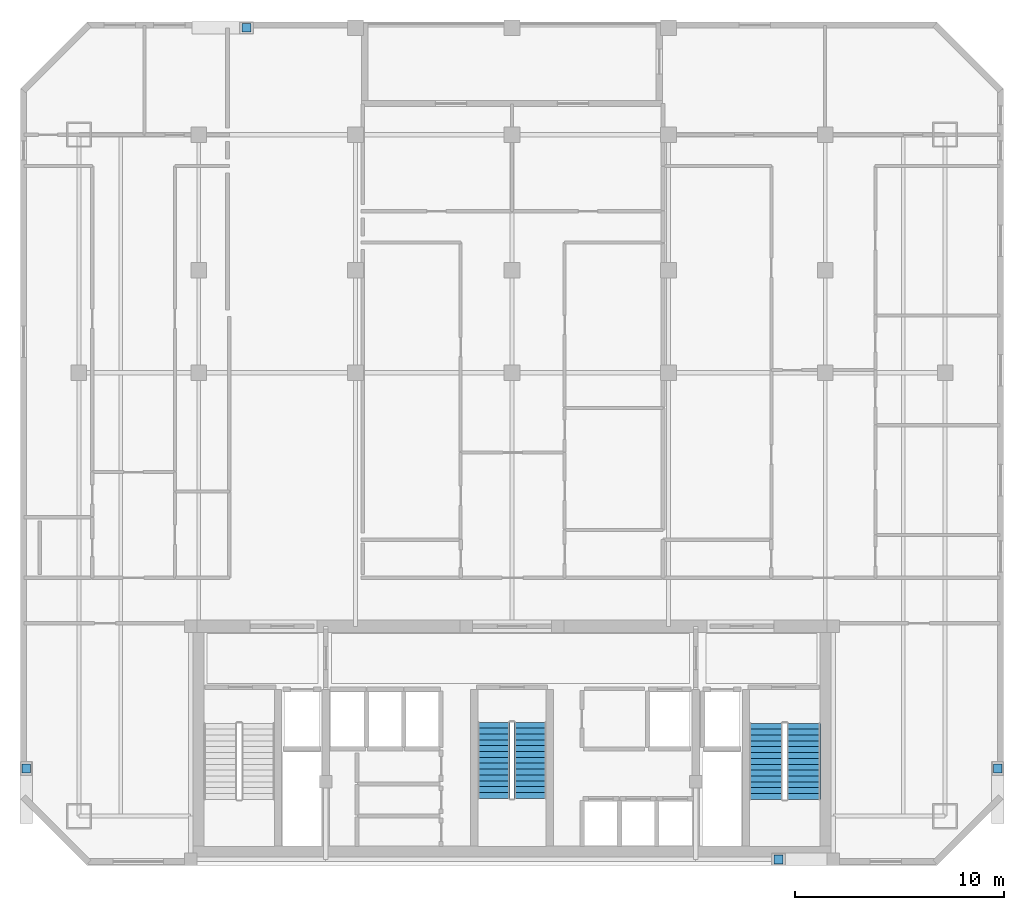
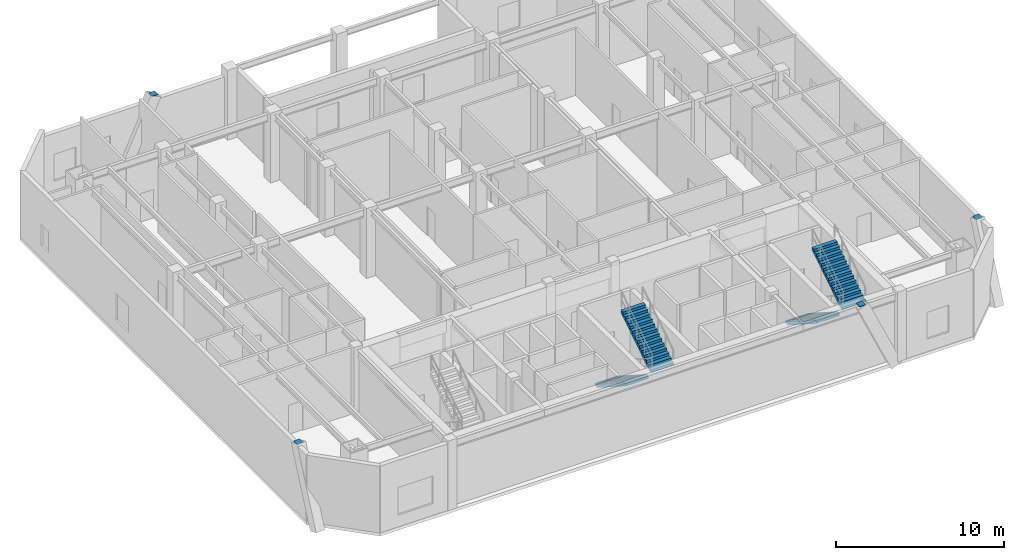
# One storey, part 7 of 8: 4 discrete accessories, 4 stair flights, 2 elements without a shape of their own.
"""IFC4 building model written with IfcOpenShell, lengths in metres."""

from ifc_helpers import new_model, si_unit, direction, frame, origin, origin_2d, place, context, subcontext, project, spatial, polyline, rectangle, outline, extrude, material, type_object, element, aggregate, save


model = new_model("IFC4")

# Units and contexts
model_context = context("Model", 3, precision=1e-05, world=origin(), true_north=direction((0.0, 1.0)))
body_context = subcontext(model_context, "Body", "Model", "MODEL_VIEW")
ifc_project = project(units=[si_unit("LENGTHUNIT", "METRE"), si_unit("AREAUNIT", "SQUARE_METRE"), si_unit("VOLUMEUNIT", "CUBIC_METRE"), si_unit("PLANEANGLEUNIT", "RADIAN"), si_unit("MASSUNIT", "GRAM", prefix="KILO")], contexts=[model_context])

# Site, building, storey
site_placement = place(None, origin())
site = spatial("IfcSite", under=ifc_project, at=site_placement, CompositionType="ELEMENT")
building_placement = place(site_placement, origin())
building = spatial("IfcBuilding", under=site, at=building_placement, Name="Ventersveld Concourse Tower", CompositionType="ELEMENT")
storey_placement = place(building_placement, frame((0.0, 0.0, 187.550048828125)))
storey = spatial("IfcBuildingStorey", under=building, at=storey_placement, Name="L46", CompositionType="ELEMENT", Elevation=187.550048828125)

# Stair, stair flights
ifc_material_1 = material(Name="Concrete C50/60", Category="concrete")
stair_type_1 = type_object("IfcStairType", Name="ST-DOG-155", PredefinedType="HALF_TURN_STAIR", material=ifc_material_1)
stair_1_placement = place(storey_placement, origin())
stair_1 = element("IfcStair", 1, at=stair_1_placement, inside=storey, type_object=stair_type_1, Name="L46 Protected Central Core Escape Stair ST-03", PredefinedType="HALF_TURN_STAIR")
stair_flight_type_1 = type_object("IfcStairFlightType", Name="STF-RC-155", PredefinedType="STRAIGHT", material=ifc_material_1)
stair_flight_1_placement = place(storey_placement, frame((27.875, 6.85009765625, 0.0), z_axis=(0.0, 0.0, 1.0), x_axis=(0.0, -1.0, 0.0)))
stair_flight_1 = element("IfcStairFlight", 2, at=stair_flight_1_placement, type_object=stair_flight_type_1, Name="ST-03 flight 1", NumberOfRisers=14, NumberOfTreads=13, PredefinedType="STRAIGHT", RiserHeight=0.180357143, TreadLength=0.28, context=body_context, shape_type="SweptSolid", body=[
    extrude(outline(polyline([(0.0, 0.0), (0.0, 0.180419921875), (0.280029296875, 0.180419921875), (0.280029296875, 0.360595703125), (0.56005859375, 0.360595703125), (0.56005859375, 0.541015625), (0.840087890625, 0.541015625), (0.840087890625, 0.721435546875), (1.1201171875, 0.721435546875), (1.1201171875, 0.90185546875), (1.39990234375, 0.90185546875), (1.39990234375, 1.08203125), (1.679931640625, 1.08203125), (1.679931640625, 1.262451171875), (1.9599609375, 1.262451171875), (1.9599609375, 1.44287109375), (2.239990234375, 1.44287109375), (2.239990234375, 1.623291015625), (2.52001953125, 1.623291015625), (2.52001953125, 1.803466796875), (2.800048828125, 1.803466796875), (2.800048828125, 1.98388671875), (3.080078125, 1.98388671875), (3.080078125, 2.164306640625), (3.360107421875, 2.164306640625), (3.360107421875, 2.3447265625), (3.639892578125, 2.3447265625), (3.639892578125, 2.52490234375), (3.639892578125, 2.166259765625), (0.27685546875, 0.0), (0.0, 0.0)])), frame((0.0, 0.77490234375, 0.0), z_axis=(0.0, -1.0, 0.0), x_axis=(1.0, 0.0, 0.0)), (0.0, 0.0, 1.0), 1.550048828125),
])
stair_flight_2_placement = place(storey_placement, frame((29.625, 3.2099609375, 2.52490234375), z_axis=(0.0, 0.0, 1.0), x_axis=(0.0, 1.0, 0.0)))
stair_flight_2 = element("IfcStairFlight", 3, at=stair_flight_2_placement, type_object=stair_flight_type_1, Name="ST-03 flight 2", NumberOfRisers=14, NumberOfTreads=13, PredefinedType="STRAIGHT", RiserHeight=0.180357143, TreadLength=0.28, context=body_context, shape_type="SweptSolid", body=[
    extrude(outline(polyline([(0.0, 0.0), (0.0, 0.180419921875), (0.280029296875, 0.180419921875), (0.280029296875, 0.360595703125), (0.56005859375, 0.360595703125), (0.56005859375, 0.541015625), (0.840087890625, 0.541015625), (0.840087890625, 0.721435546875), (1.1201171875, 0.721435546875), (1.1201171875, 0.90185546875), (1.39990234375, 0.90185546875), (1.39990234375, 1.08203125), (1.679931640625, 1.08203125), (1.679931640625, 1.262451171875), (1.9599609375, 1.262451171875), (1.9599609375, 1.44287109375), (2.239990234375, 1.44287109375), (2.239990234375, 1.623291015625), (2.52001953125, 1.623291015625), (2.52001953125, 1.803466796875), (2.800048828125, 1.803466796875), (2.800048828125, 1.98388671875), (3.080078125, 1.98388671875), (3.080078125, 2.164306640625), (3.360107421875, 2.164306640625), (3.360107421875, 2.3447265625), (3.639892578125, 2.3447265625), (3.639892578125, 2.52490234375), (3.639892578125, 2.166259765625), (0.27685546875, 0.0), (0.0, 0.0)])), frame((0.0, 0.77490234375, 0.0), z_axis=(0.0, -1.0, 0.0), x_axis=(1.0, 0.0, 0.0)), (0.0, 0.0, 1.0), 1.550048828125),
])
aggregate(stair_1, [stair_flight_1, stair_flight_2])

stair_type_2 = type_object("IfcStairType", Name="ST-DOG-160", PredefinedType="HALF_TURN_STAIR", material=ifc_material_1)
stair_2_placement = place(storey_placement, origin())
stair_2 = element("IfcStair", 4, at=stair_2_placement, inside=storey, type_object=stair_type_2, Name="L46 Protected Tower Escape Stair ST-02", PredefinedType="HALF_TURN_STAIR")
stair_flight_type_2 = type_object("IfcStairFlightType", Name="STF-RC-160", PredefinedType="STRAIGHT", material=ifc_material_1)
stair_flight_3_placement = place(storey_placement, frame((40.919921875, 6.800048828125, 0.0), z_axis=(0.0, 0.0, 1.0), x_axis=(0.0, -1.0, 0.0)))
stair_flight_3 = element("IfcStairFlight", 5, at=stair_flight_3_placement, type_object=stair_flight_type_2, Name="ST-02 flight 1", NumberOfRisers=14, NumberOfTreads=13, PredefinedType="STRAIGHT", RiserHeight=0.180357143, TreadLength=0.28, context=body_context, shape_type="SweptSolid", body=[
    extrude(outline(polyline([(0.0, 0.0), (0.0, 0.180419921875), (0.280029296875, 0.180419921875), (0.280029296875, 0.360595703125), (0.56005859375, 0.360595703125), (0.56005859375, 0.541015625), (0.840087890625, 0.541015625), (0.840087890625, 0.721435546875), (1.1201171875, 0.721435546875), (1.1201171875, 0.90185546875), (1.39990234375, 0.90185546875), (1.39990234375, 1.08203125), (1.679931640625, 1.08203125), (1.679931640625, 1.262451171875), (1.9599609375, 1.262451171875), (1.9599609375, 1.44287109375), (2.239990234375, 1.44287109375), (2.239990234375, 1.623291015625), (2.52001953125, 1.623291015625), (2.52001953125, 1.803466796875), (2.800048828125, 1.803466796875), (2.800048828125, 1.98388671875), (3.080078125, 1.98388671875), (3.080078125, 2.164306640625), (3.360107421875, 2.164306640625), (3.360107421875, 2.3447265625), (3.639892578125, 2.3447265625), (3.639892578125, 2.52490234375), (3.639892578125, 2.166259765625), (0.27685546875, 0.0), (0.0, 0.0)])), frame((0.0, 0.800048828125, 0.0), z_axis=(0.0, -1.0, 0.0), x_axis=(1.0, 0.0, 0.0)), (0.0, 0.0, 1.0), 1.60009765625),
])
stair_flight_4_placement = place(storey_placement, frame((42.719970703125, 3.159912109375, 2.52490234375), z_axis=(0.0, 0.0, 1.0), x_axis=(0.0, 1.0, 0.0)))
stair_flight_4 = element("IfcStairFlight", 6, at=stair_flight_4_placement, type_object=stair_flight_type_2, Name="ST-02 flight 2", NumberOfRisers=14, NumberOfTreads=13, PredefinedType="STRAIGHT", RiserHeight=0.180357143, TreadLength=0.28, context=body_context, shape_type="SweptSolid", body=[
    extrude(outline(polyline([(0.0, 0.0), (0.0, 0.180419921875), (0.280029296875, 0.180419921875), (0.280029296875, 0.360595703125), (0.56005859375, 0.360595703125), (0.56005859375, 0.541015625), (0.840087890625, 0.541015625), (0.840087890625, 0.721435546875), (1.1201171875, 0.721435546875), (1.1201171875, 0.90185546875), (1.39990234375, 0.90185546875), (1.39990234375, 1.08203125), (1.679931640625, 1.08203125), (1.679931640625, 1.262451171875), (1.9599609375, 1.262451171875), (1.9599609375, 1.44287109375), (2.239990234375, 1.44287109375), (2.239990234375, 1.623291015625), (2.52001953125, 1.623291015625), (2.52001953125, 1.803466796875), (2.800048828125, 1.803466796875), (2.800048828125, 1.98388671875), (3.080078125, 1.98388671875), (3.080078125, 2.164306640625), (3.360107421875, 2.164306640625), (3.360107421875, 2.3447265625), (3.639892578125, 2.3447265625), (3.639892578125, 2.52490234375), (3.639892578125, 2.166259765625), (0.27685546875, 0.0), (0.0, 0.0)])), frame((0.0, 0.800048828125, 0.0), z_axis=(0.0, -1.0, 0.0), x_axis=(1.0, 0.0, 0.0)), (0.0, 0.0, 1.0), 1.60009765625),
])
aggregate(stair_2, [stair_flight_3, stair_flight_4])

# Discrete accessories
ifc_material_2 = material(Name="Structural steel S355J2", Category="steel")
discrete_accessory_type = type_object("IfcDiscreteAccessoryType", Name="CONN-BRACE-ECP1", PredefinedType="BRACKET", material=ifc_material_2)
for number, where, z_axis, x_axis, name in (
    (7, (16.031494140625, 40.1201171875, 4.809814453125), (0.0, 0.0, 1.0), (1.0, 0.0, 0.0), "L46 Steel Brace End Connection Plate ECP1-0368"),
    (8, (41.518310546875, 0.280029296875, 4.809814453125), (0.0, 0.0, 1.0), (1.0, 0.0, 0.0), "L46 Steel Brace End Connection Plate ECP1-0372"),
    (9, (5.47998046875, 4.631591796875, 4.809814453125), (0.0, 0.0, 1.0), (1.0, 0.0, 0.0), "L46 Steel Brace End Connection Plate ECP1-0376"),
    (10, (52.02001953125, 4.631591796875, 4.809814453125), (0.0, 0.0, 1.0), (1.0, 0.0, 0.0), "L46 Steel Brace End Connection Plate ECP1-0380"),
):
    element("IfcDiscreteAccessory", number, at=place(storey_placement, frame(where, z_axis=z_axis, x_axis=x_axis)), inside=storey, type_object=discrete_accessory_type, Name=name, PredefinedType="BRACKET", context=body_context, shape_type="SweptSolid", body=[
        extrude(rectangle(XDim=0.419921875, YDim=0.419921875, at=origin_2d()), origin(), (0.0, 0.0, 1.0), 0.0400390625),
    ])

save(model, "model.ifc")
